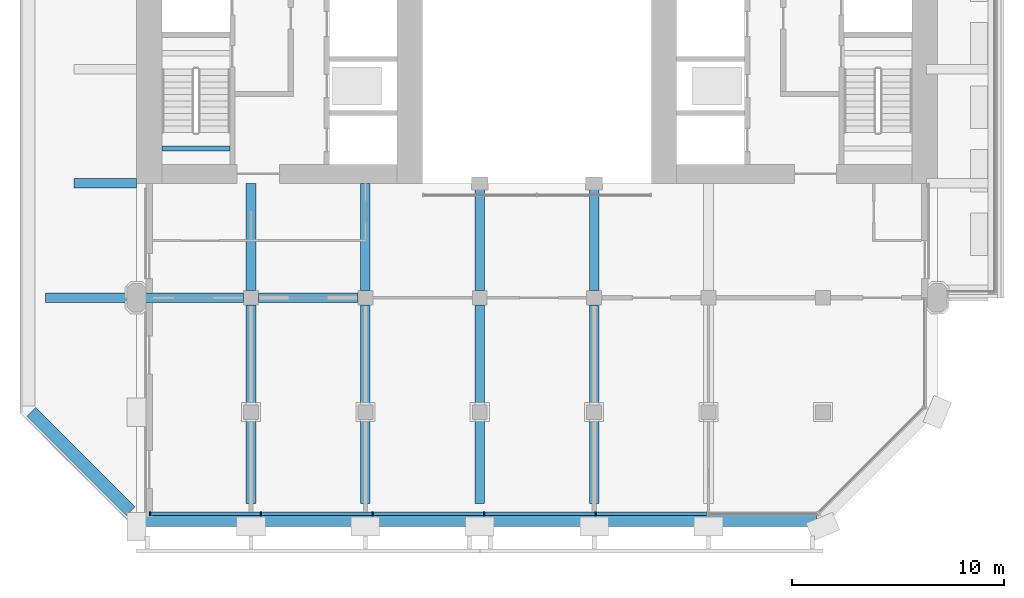
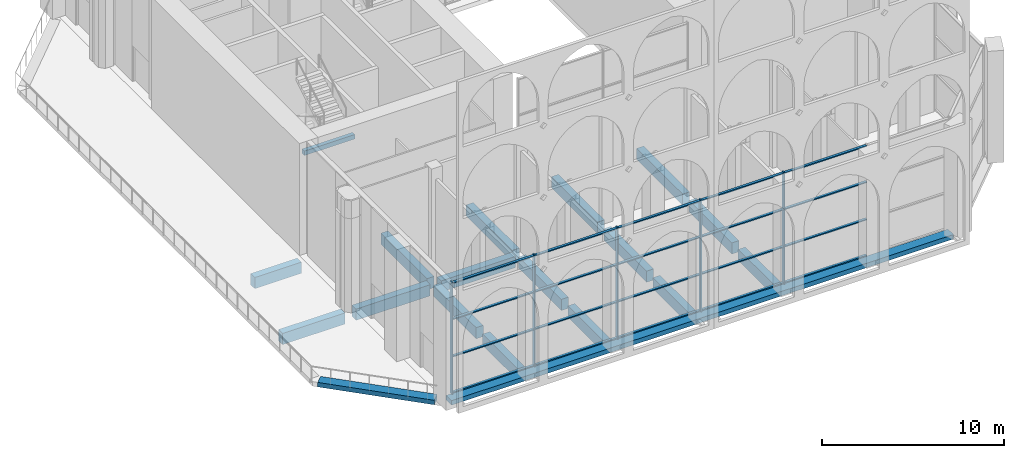
# One storey, part 2 of 20: 25 members, 19 beams, 1 element without a shape of its own.
"""IFC4 building model written with IfcOpenShell, lengths in metres."""

import ifcopenshell
import ifcopenshell.guid

model = None  # the IFC model being written
_history = None  # IfcOwnerHistory: only IFC2X3 demands one
_inside = {}  # id of a spatial element -> (the spatial element, [elements in it])
_under = {}  # id of a project, library or spatial element -> (it, [spatial elements below it])
_declared = {}  # id of a project -> (the project, [libraries it declares])
_typed = {}  # id of a type object -> (the type object, [elements of that type])
_made_of = {}  # id of a material, layer set ... -> (it, [elements and type objects made of it])


def new_model(schema):
    """Start an empty IFC model of exactly this schema.

    Asked for "IFC4X3", IfcOpenShell would pick the latest addendum, in which some entities
    have other attributes; the version numbers below select the first issue.
    IFC2X3 requires an IfcOwnerHistory on every rooted entity: one is made here for all.
    """
    global model, _history
    if schema == "IFC4X3":
        model = ifcopenshell.file(schema_version=(4, 3, 0, 0))
    else:
        model = ifcopenshell.file(schema=schema)
    _inside.clear()
    _under.clear()
    _declared.clear()
    _typed.clear()
    _made_of.clear()
    _history = None
    if model.schema == "IFC2X3":
        org = make("IfcOrganization", Name="unknown")
        user = make(
            "IfcPersonAndOrganization",
            ThePerson=make("IfcPerson", FamilyName="unknown"),
            TheOrganization=org,
        )
        app = make(
            "IfcApplication",
            ApplicationDeveloper=org,
            Version="unknown",
            ApplicationFullName="unknown",
            ApplicationIdentifier="unknown",
        )
        _history = make(
            "IfcOwnerHistory",
            OwningUser=user,
            OwningApplication=app,
            ChangeAction="ADDED",
            CreationDate=0,
        )
    return model


def make(cls, **values):
    """One entity of the class cls with the attributes given. An attribute that is None is left unset."""
    return model.create_entity(
        cls, **{name: value for name, value in values.items() if value is not None}
    )


def rooted(cls, **values):
    """An entity with a GlobalId (a new one), such as an element, a storey or a relation."""
    return make(cls, GlobalId=ifcopenshell.guid.new(), OwnerHistory=_history, **values)


def si_unit(unit_type, name, prefix=None):
    """IfcSIUnit, for example si_unit("LENGTHUNIT", "METRE", prefix="MILLI")."""
    return make("IfcSIUnit", UnitType=unit_type, Prefix=prefix, Name=name)


def assignment(units):
    """IfcUnitAssignment: the units of a project."""
    return None if units is None else make("IfcUnitAssignment", Units=units)


def point(xyz):
    """IfcCartesianPoint."""
    return None if xyz is None else make("IfcCartesianPoint", Coordinates=xyz)


def direction(xyz):
    """IfcDirection."""
    return None if xyz is None else make("IfcDirection", DirectionRatios=xyz)


def frame(location, z_axis=None, x_axis=None):
    """IfcAxis2Placement3D, a coordinate frame: its origin and axes. An axis left out is left unset."""
    return make(
        "IfcAxis2Placement3D",
        Location=point(location),
        Axis=direction(z_axis),
        RefDirection=direction(x_axis),
    )


def frame_2d(location, x_axis=None):
    """IfcAxis2Placement2D, a coordinate frame in the plane: its origin and x axis."""
    return make(
        "IfcAxis2Placement2D", Location=point(location), RefDirection=direction(x_axis)
    )


def origin():
    """The frame at (0, 0, 0) with its axes left unset."""
    return frame((0.0, 0.0, 0.0))


def origin_2d():
    """The frame at (0, 0) in the plane with its x axis left unset."""
    return frame_2d((0.0, 0.0))


def place(relative_to, where):
    """IfcLocalPlacement: puts the frame where relative to a parent placement (None: the world)."""
    return make(
        "IfcLocalPlacement", PlacementRelTo=relative_to, RelativePlacement=where
    )


def context(
    kind, dimensions, precision=None, world=None, true_north=None, identifier=None
):
    """IfcGeometricRepresentationContext, for example the 3D "Model" context."""
    return make(
        "IfcGeometricRepresentationContext",
        ContextIdentifier=identifier,
        ContextType=kind,
        CoordinateSpaceDimension=dimensions,
        Precision=precision,
        WorldCoordinateSystem=world,
        TrueNorth=true_north,
    )


def subcontext(parent, identifier, kind, view, scale=None):
    """IfcGeometricRepresentationSubContext, for example "Body" below "Model"."""
    return make(
        "IfcGeometricRepresentationSubContext",
        ContextIdentifier=identifier,
        ContextType=kind,
        ParentContext=parent,
        TargetScale=scale,
        TargetView=view,
    )


def project(units=None, contexts=None):
    """IfcProject with its units and contexts."""
    return rooted(
        "IfcProject",
        Name="project",
        RepresentationContexts=contexts,
        UnitsInContext=assignment(units),
    )


def spatial(cls, under=None, at=None, **own):
    """A site, building, storey or space (cls), placed at a placement, below another one or the project."""
    s = rooted(cls, ObjectPlacement=at, **own)
    if under is not None:
        _under.setdefault(under.id(), (under, []))[1].append(s)
    return s


def profile(cls, at=None, kind="AREA", **sizes):
    """A parametric profile (cls). Its sizes go by their IFC names, for example OverallWidth=200.0."""
    return make(cls, ProfileType=kind, Position=at, **sizes)


def rectangle(**sizes):
    """IfcRectangleProfileDef."""
    return profile("IfcRectangleProfileDef", **sizes)


def extrude(swept, where, along, depth):
    """IfcExtrudedAreaSolid: the profile swept, set in the frame where, extruded along a direction by depth."""
    return make(
        "IfcExtrudedAreaSolid",
        SweptArea=swept,
        Position=where,
        ExtrudedDirection=direction(along),
        Depth=depth,
    )


def shape(context_of_items, identifier, shape_type, items):
    """IfcShapeRepresentation: the items that make up one representation, for example the "Body"."""
    return make(
        "IfcShapeRepresentation",
        ContextOfItems=context_of_items,
        RepresentationIdentifier=identifier,
        RepresentationType=shape_type,
        Items=items,
    )


def material(Name=None, Category=None):
    """IfcMaterial."""
    return make("IfcMaterial", Name=Name, Category=Category)


def material_profile(
    of_material, cross_section, Name=None, Category=None, Priority=None
):
    """IfcMaterialProfile: a cross section and its material."""
    return make(
        "IfcMaterialProfile",
        Name=Name,
        Material=of_material,
        Profile=cross_section,
        Priority=Priority,
        Category=Category,
    )


def profile_set(profiles, Name=None, composite=None):
    """IfcMaterialProfileSet."""
    return make(
        "IfcMaterialProfileSet",
        Name=Name,
        MaterialProfiles=profiles,
        CompositeProfile=composite,
    )


def made_of(thing, what):
    """Note that an element or type object is made of a material, layer set ...; save() writes the relation."""
    if what is not None:
        _made_of.setdefault(what.id(), (what, []))[1].append(thing)
    return thing


def type_object(cls, material=None, **own):
    """A type object (cls), such as IfcWallType, which elements share."""
    return made_of(rooted(cls, **own), material)


def element(
    cls,
    number,
    at=None,
    inside=None,
    cuts=None,
    type_object=None,
    material=None,
    context=None,
    identifier="Body",
    shape_type=None,
    held_by="IfcProductDefinitionShape",
    body=None,
    shapes=None,
    **own,
):
    """One element of the class cls, such as IfcWall. Its Tag is "e" and its number.

    at: its placement. inside: the storey or other place that contains it. cuts: it is an
    opening in that element (IfcRelVoidsElement). A single representation is given by context,
    identifier, shape_type and body (its items); several are given by shapes. held_by: the class
    of the entity that holds the representations. save() writes the other relations.
    """
    e = rooted(cls, Tag="e%d" % number, ObjectPlacement=at, **own)
    if body is not None:
        shapes = [shape(context, identifier, shape_type, body)]
    if shapes is not None:
        e.Representation = make(held_by, Representations=shapes)
    if inside is not None:
        _inside.setdefault(inside.id(), (inside, []))[1].append(e)
    if cuts is not None:
        rooted(
            "IfcRelVoidsElement", RelatingBuildingElement=cuts, RelatedOpeningElement=e
        )
    if type_object is not None:
        _typed.setdefault(type_object.id(), (type_object, []))[1].append(e)
    return made_of(e, material)


def aggregate(whole, parts):
    """IfcRelAggregates: a whole, such as a stair, and the parts it consists of."""
    return rooted("IfcRelAggregates", RelatingObject=whole, RelatedObjects=parts)


def save(model, path):
    """Write the relations noted so far, then the file.

    IfcRelAggregates (storeys below a building ...), IfcRelContainedInSpatialStructure (elements
    in a storey), IfcRelDefinesByType, IfcRelAssociatesMaterial and IfcRelDeclares: one each for
    every whole, place, type object, material and project.
    """
    for whole, parts in _under.values():
        aggregate(whole, parts)
    for where, things in _inside.values():
        rooted(
            "IfcRelContainedInSpatialStructure",
            RelatedElements=things,
            RelatingStructure=where,
        )
    for kind, things in _typed.values():
        rooted("IfcRelDefinesByType", RelatedObjects=things, RelatingType=kind)
    for what, things in _made_of.values():
        rooted("IfcRelAssociatesMaterial", RelatedObjects=things, RelatingMaterial=what)
    for by, libraries in _declared.values():
        rooted("IfcRelDeclares", RelatingContext=by, RelatedDefinitions=libraries)
    model.write(path)


model = new_model("IFC4")

# Units and contexts
model_context = context("Model", 3, precision=1e-05, world=origin(), true_north=direction((0.0, 1.0)))
body_context = subcontext(model_context, "Body", "Model", "MODEL_VIEW")
ifc_project = project(units=[si_unit("LENGTHUNIT", "METRE"), si_unit("AREAUNIT", "SQUARE_METRE"), si_unit("VOLUMEUNIT", "CUBIC_METRE"), si_unit("PLANEANGLEUNIT", "RADIAN"), si_unit("MASSUNIT", "GRAM", prefix="KILO")], contexts=[model_context])

# Site, building, storey
site_placement = place(None, origin())
site = spatial("IfcSite", under=ifc_project, at=site_placement, CompositionType="ELEMENT")
building_placement = place(site_placement, origin())
building = spatial("IfcBuilding", under=site, at=building_placement, Name="Tabaq Tower and Sports Hall", CompositionType="ELEMENT")
storey_placement = place(building_placement, frame((0.0, 0.0, 243.10009765625)))
storey = spatial("IfcBuildingStorey", under=building, at=storey_placement, Name="L60", CompositionType="ELEMENT", Elevation=243.10009765625)

# Curtain wall, members
ifc_material_1 = material(Name="Aluminium alloy 6063-T6 framed glazing", Category="aluminium")
curtain_wall_type = type_object("IfcCurtainWallType", Name="CW2 curtain wall", PredefinedType="USERDEFINED", material=ifc_material_1)
curtain_wall_placement = place(storey_placement, origin())
curtain_wall = element("IfcCurtainWall", 1, at=curtain_wall_placement, inside=storey, type_object=curtain_wall_type, Name="Sky Lobby Wall L60 S", ObjectType="SKY LOBBY WALL", PredefinedType="USERDEFINED")
ifc_material_2 = material(Name="Aluminium alloy 6063-T6", Category="aluminium")
ifc_material_profile_1 = material_profile(ifc_material_2, rectangle(XDim=0.199951171875, YDim=0.070068359375, at=origin_2d()), Name="MULLION 200x70")
ifc_profile_set_1 = profile_set([ifc_material_profile_1], Name="Aluminium alloy 6063-T6")
member_type_1 = type_object("IfcMemberType", Name="CW2 mullion 200x70", PredefinedType="MULLION", material=ifc_profile_set_1)
member_1_placement = place(storey_placement, frame((6.034912109375, 0.60009765625, 0.0), z_axis=(0.0, 0.0, 1.0), x_axis=(0.0, 1.0, 0.0)))
member_1 = element("IfcMember", 2, at=member_1_placement, type_object=member_type_1, Name="CW2 mullion 1", PredefinedType="MULLION", context=body_context, shape_type="SweptSolid", body=[
    extrude(rectangle(XDim=0.199951171875, YDim=0.070068359375, at=origin_2d()), origin(), (0.0, 0.0, 1.0), 7.5),
])
member_2_placement = place(storey_placement, frame((11.26904296875, 0.60009765625, 0.0), z_axis=(0.0, 0.0, 1.0), x_axis=(0.0, 1.0, 0.0)))
member_2 = element("IfcMember", 3, at=member_2_placement, type_object=member_type_1, Name="CW2 mullion 2", PredefinedType="MULLION", context=body_context, shape_type="SweptSolid", body=[
    extrude(rectangle(XDim=0.199951171875, YDim=0.070068359375, at=origin_2d()), origin(), (0.0, 0.0, 1.0), 7.5),
])
member_3_placement = place(storey_placement, frame((16.537841796875, 0.60009765625, 0.0), z_axis=(0.0, 0.0, 1.0), x_axis=(0.0, 1.0, 0.0)))
member_3 = element("IfcMember", 4, at=member_3_placement, type_object=member_type_1, Name="CW2 mullion 3", PredefinedType="MULLION", context=body_context, shape_type="SweptSolid", body=[
    extrude(rectangle(XDim=0.199951171875, YDim=0.070068359375, at=origin_2d()), origin(), (0.0, 0.0, 1.0), 7.5),
])
member_4_placement = place(storey_placement, frame((21.806884765625, 0.60009765625, 0.0), z_axis=(0.0, 0.0, 1.0), x_axis=(0.0, 1.0, 0.0)))
member_4 = element("IfcMember", 5, at=member_4_placement, type_object=member_type_1, Name="CW2 mullion 4", PredefinedType="MULLION", context=body_context, shape_type="SweptSolid", body=[
    extrude(rectangle(XDim=0.199951171875, YDim=0.070068359375, at=origin_2d()), origin(), (0.0, 0.0, 1.0), 7.5),
])
member_5_placement = place(storey_placement, frame((27.07568359375, 0.60009765625, 0.0), z_axis=(0.0, 0.0, 1.0), x_axis=(0.0, 1.0, 0.0)))
member_5 = element("IfcMember", 6, at=member_5_placement, type_object=member_type_1, Name="CW2 mullion 5", PredefinedType="MULLION", context=body_context, shape_type="SweptSolid", body=[
    extrude(rectangle(XDim=0.199951171875, YDim=0.070068359375, at=origin_2d()), origin(), (0.0, 0.0, 1.0), 7.5),
])
ifc_material_3 = material(Name="Aluminium alloy 6063-T6", Category="aluminium")
ifc_material_profile_2 = material_profile(ifc_material_3, rectangle(XDim=0.159912109375, YDim=0.070068359375, at=origin_2d()), Name="TRANSOM 160x70")
ifc_profile_set_2 = profile_set([ifc_material_profile_2], Name="Aluminium alloy 6063-T6")
member_type_2 = type_object("IfcMemberType", Name="CW2 transom 160x70", PredefinedType="USERDEFINED", material=ifc_profile_set_2)
member_6_placement = place(storey_placement, frame((6.070068359375, 0.60009765625, 0.079833984375), z_axis=(1.0, 0.0, 0.0), x_axis=(0.0, 1.0, 0.0)))
member_6 = element("IfcMember", 7, at=member_6_placement, type_object=member_type_2, Name="CW2 transom 1.1", ObjectType="TRANSOM", PredefinedType="USERDEFINED", context=body_context, shape_type="SweptSolid", body=[
    extrude(rectangle(XDim=0.159912109375, YDim=0.070068359375, at=origin_2d()), origin(), (0.0, 0.0, 1.0), 5.163818359375),
])
member_7_placement = place(storey_placement, frame((6.070068359375, 0.60009765625, 2.5), z_axis=(1.0, 0.0, 0.0), x_axis=(0.0, 1.0, 0.0)))
member_7 = element("IfcMember", 8, at=member_7_placement, type_object=member_type_2, Name="CW2 transom 1.2", ObjectType="TRANSOM", PredefinedType="USERDEFINED", context=body_context, shape_type="SweptSolid", body=[
    extrude(rectangle(XDim=0.159912109375, YDim=0.070068359375, at=origin_2d()), origin(), (0.0, 0.0, 1.0), 5.163818359375),
])
member_8_placement = place(storey_placement, frame((6.070068359375, 0.60009765625, 5.0), z_axis=(1.0, 0.0, 0.0), x_axis=(0.0, 1.0, 0.0)))
member_8 = element("IfcMember", 9, at=member_8_placement, type_object=member_type_2, Name="CW2 transom 1.3", ObjectType="TRANSOM", PredefinedType="USERDEFINED", context=body_context, shape_type="SweptSolid", body=[
    extrude(rectangle(XDim=0.159912109375, YDim=0.070068359375, at=origin_2d()), origin(), (0.0, 0.0, 1.0), 5.163818359375),
])
member_9_placement = place(storey_placement, frame((6.070068359375, 0.60009765625, 7.419921875), z_axis=(1.0, 0.0, 0.0), x_axis=(0.0, 1.0, 0.0)))
member_9 = element("IfcMember", 10, at=member_9_placement, type_object=member_type_2, Name="CW2 transom 1.4", ObjectType="TRANSOM", PredefinedType="USERDEFINED", context=body_context, shape_type="SweptSolid", body=[
    extrude(rectangle(XDim=0.159912109375, YDim=0.070068359375, at=origin_2d()), origin(), (0.0, 0.0, 1.0), 5.163818359375),
])
member_10_placement = place(storey_placement, frame((11.303955078125, 0.60009765625, 0.079833984375), z_axis=(1.0, 0.0, 0.0), x_axis=(0.0, 1.0, 0.0)))
member_10 = element("IfcMember", 11, at=member_10_placement, type_object=member_type_2, Name="CW2 transom 2.1", ObjectType="TRANSOM", PredefinedType="USERDEFINED", context=body_context, shape_type="SweptSolid", body=[
    extrude(rectangle(XDim=0.159912109375, YDim=0.070068359375, at=origin_2d()), origin(), (0.0, 0.0, 1.0), 5.198974609375),
])
member_11_placement = place(storey_placement, frame((11.303955078125, 0.60009765625, 2.5), z_axis=(1.0, 0.0, 0.0), x_axis=(0.0, 1.0, 0.0)))
member_11 = element("IfcMember", 12, at=member_11_placement, type_object=member_type_2, Name="CW2 transom 2.2", ObjectType="TRANSOM", PredefinedType="USERDEFINED", context=body_context, shape_type="SweptSolid", body=[
    extrude(rectangle(XDim=0.159912109375, YDim=0.070068359375, at=origin_2d()), origin(), (0.0, 0.0, 1.0), 5.198974609375),
])
member_12_placement = place(storey_placement, frame((11.303955078125, 0.60009765625, 5.0), z_axis=(1.0, 0.0, 0.0), x_axis=(0.0, 1.0, 0.0)))
member_12 = element("IfcMember", 13, at=member_12_placement, type_object=member_type_2, Name="CW2 transom 2.3", ObjectType="TRANSOM", PredefinedType="USERDEFINED", context=body_context, shape_type="SweptSolid", body=[
    extrude(rectangle(XDim=0.159912109375, YDim=0.070068359375, at=origin_2d()), origin(), (0.0, 0.0, 1.0), 5.198974609375),
])
member_13_placement = place(storey_placement, frame((11.303955078125, 0.60009765625, 7.419921875), z_axis=(1.0, 0.0, 0.0), x_axis=(0.0, 1.0, 0.0)))
member_13 = element("IfcMember", 14, at=member_13_placement, type_object=member_type_2, Name="CW2 transom 2.4", ObjectType="TRANSOM", PredefinedType="USERDEFINED", context=body_context, shape_type="SweptSolid", body=[
    extrude(rectangle(XDim=0.159912109375, YDim=0.070068359375, at=origin_2d()), origin(), (0.0, 0.0, 1.0), 5.198974609375),
])
member_14_placement = place(storey_placement, frame((16.57275390625, 0.60009765625, 0.079833984375), z_axis=(1.0, 0.0, 0.0), x_axis=(0.0, 1.0, 0.0)))
member_14 = element("IfcMember", 15, at=member_14_placement, type_object=member_type_2, Name="CW2 transom 3.1", ObjectType="TRANSOM", PredefinedType="USERDEFINED", context=body_context, shape_type="SweptSolid", body=[
    extrude(rectangle(XDim=0.159912109375, YDim=0.070068359375, at=origin_2d()), origin(), (0.0, 0.0, 1.0), 5.198974609375),
])
member_15_placement = place(storey_placement, frame((16.57275390625, 0.60009765625, 2.5), z_axis=(1.0, 0.0, 0.0), x_axis=(0.0, 1.0, 0.0)))
member_15 = element("IfcMember", 16, at=member_15_placement, type_object=member_type_2, Name="CW2 transom 3.2", ObjectType="TRANSOM", PredefinedType="USERDEFINED", context=body_context, shape_type="SweptSolid", body=[
    extrude(rectangle(XDim=0.159912109375, YDim=0.070068359375, at=origin_2d()), origin(), (0.0, 0.0, 1.0), 5.198974609375),
])
member_16_placement = place(storey_placement, frame((16.57275390625, 0.60009765625, 5.0), z_axis=(1.0, 0.0, 0.0), x_axis=(0.0, 1.0, 0.0)))
member_16 = element("IfcMember", 17, at=member_16_placement, type_object=member_type_2, Name="CW2 transom 3.3", ObjectType="TRANSOM", PredefinedType="USERDEFINED", context=body_context, shape_type="SweptSolid", body=[
    extrude(rectangle(XDim=0.159912109375, YDim=0.070068359375, at=origin_2d()), origin(), (0.0, 0.0, 1.0), 5.198974609375),
])
member_17_placement = place(storey_placement, frame((16.57275390625, 0.60009765625, 7.419921875), z_axis=(1.0, 0.0, 0.0), x_axis=(0.0, 1.0, 0.0)))
member_17 = element("IfcMember", 18, at=member_17_placement, type_object=member_type_2, Name="CW2 transom 3.4", ObjectType="TRANSOM", PredefinedType="USERDEFINED", context=body_context, shape_type="SweptSolid", body=[
    extrude(rectangle(XDim=0.159912109375, YDim=0.070068359375, at=origin_2d()), origin(), (0.0, 0.0, 1.0), 5.198974609375),
])
member_18_placement = place(storey_placement, frame((21.841796875, 0.60009765625, 0.079833984375), z_axis=(1.0, 0.0, 0.0), x_axis=(0.0, 1.0, 0.0)))
member_18 = element("IfcMember", 19, at=member_18_placement, type_object=member_type_2, Name="CW2 transom 4.1", ObjectType="TRANSOM", PredefinedType="USERDEFINED", context=body_context, shape_type="SweptSolid", body=[
    extrude(rectangle(XDim=0.159912109375, YDim=0.070068359375, at=origin_2d()), origin(), (0.0, 0.0, 1.0), 5.198974609375),
])
member_19_placement = place(storey_placement, frame((21.841796875, 0.60009765625, 2.5), z_axis=(1.0, 0.0, 0.0), x_axis=(0.0, 1.0, 0.0)))
member_19 = element("IfcMember", 20, at=member_19_placement, type_object=member_type_2, Name="CW2 transom 4.2", ObjectType="TRANSOM", PredefinedType="USERDEFINED", context=body_context, shape_type="SweptSolid", body=[
    extrude(rectangle(XDim=0.159912109375, YDim=0.070068359375, at=origin_2d()), origin(), (0.0, 0.0, 1.0), 5.198974609375),
])
member_20_placement = place(storey_placement, frame((21.841796875, 0.60009765625, 5.0), z_axis=(1.0, 0.0, 0.0), x_axis=(0.0, 1.0, 0.0)))
member_20 = element("IfcMember", 21, at=member_20_placement, type_object=member_type_2, Name="CW2 transom 4.3", ObjectType="TRANSOM", PredefinedType="USERDEFINED", context=body_context, shape_type="SweptSolid", body=[
    extrude(rectangle(XDim=0.159912109375, YDim=0.070068359375, at=origin_2d()), origin(), (0.0, 0.0, 1.0), 5.198974609375),
])
member_21_placement = place(storey_placement, frame((21.841796875, 0.60009765625, 7.419921875), z_axis=(1.0, 0.0, 0.0), x_axis=(0.0, 1.0, 0.0)))
member_21 = element("IfcMember", 22, at=member_21_placement, type_object=member_type_2, Name="CW2 transom 4.4", ObjectType="TRANSOM", PredefinedType="USERDEFINED", context=body_context, shape_type="SweptSolid", body=[
    extrude(rectangle(XDim=0.159912109375, YDim=0.070068359375, at=origin_2d()), origin(), (0.0, 0.0, 1.0), 5.198974609375),
])
member_22_placement = place(storey_placement, frame((27.11083984375, 0.60009765625, 0.079833984375), z_axis=(1.0, 0.0, 0.0), x_axis=(0.0, 1.0, 0.0)))
member_22 = element("IfcMember", 23, at=member_22_placement, type_object=member_type_2, Name="CW2 transom 5.1", ObjectType="TRANSOM", PredefinedType="USERDEFINED", context=body_context, shape_type="SweptSolid", body=[
    extrude(rectangle(XDim=0.159912109375, YDim=0.070068359375, at=origin_2d()), origin(), (0.0, 0.0, 1.0), 5.19873046875),
])
member_23_placement = place(storey_placement, frame((27.11083984375, 0.60009765625, 2.5), z_axis=(1.0, 0.0, 0.0), x_axis=(0.0, 1.0, 0.0)))
member_23 = element("IfcMember", 24, at=member_23_placement, type_object=member_type_2, Name="CW2 transom 5.2", ObjectType="TRANSOM", PredefinedType="USERDEFINED", context=body_context, shape_type="SweptSolid", body=[
    extrude(rectangle(XDim=0.159912109375, YDim=0.070068359375, at=origin_2d()), origin(), (0.0, 0.0, 1.0), 5.19873046875),
])
member_24_placement = place(storey_placement, frame((27.11083984375, 0.60009765625, 5.0), z_axis=(1.0, 0.0, 0.0), x_axis=(0.0, 1.0, 0.0)))
member_24 = element("IfcMember", 25, at=member_24_placement, type_object=member_type_2, Name="CW2 transom 5.3", ObjectType="TRANSOM", PredefinedType="USERDEFINED", context=body_context, shape_type="SweptSolid", body=[
    extrude(rectangle(XDim=0.159912109375, YDim=0.070068359375, at=origin_2d()), origin(), (0.0, 0.0, 1.0), 5.19873046875),
])
member_25_placement = place(storey_placement, frame((27.11083984375, 0.60009765625, 7.419921875), z_axis=(1.0, 0.0, 0.0), x_axis=(0.0, 1.0, 0.0)))
member_25 = element("IfcMember", 26, at=member_25_placement, type_object=member_type_2, Name="CW2 transom 5.4", ObjectType="TRANSOM", PredefinedType="USERDEFINED", context=body_context, shape_type="SweptSolid", body=[
    extrude(rectangle(XDim=0.159912109375, YDim=0.070068359375, at=origin_2d()), origin(), (0.0, 0.0, 1.0), 5.19873046875),
])
aggregate(curtain_wall, [member_1, member_2, member_3, member_4, member_5, member_6, member_7, member_8, member_9, member_10, member_11, member_12, member_13, member_14, member_15, member_16, member_17, member_18, member_19, member_20, member_21, member_22, member_23, member_24, member_25])

# Beams
ifc_material_4 = material(Name="Concrete C40/50", Category="concrete")
ifc_material_profile_3 = material_profile(ifc_material_4, rectangle(XDim=0.449951171875, YDim=0.75, at=origin_2d()), Name="CB 450x750")
ifc_profile_set_3 = profile_set([ifc_material_profile_3], Name="Concrete C40/50")
beam_type_1 = type_object("IfcBeamType", Name="PT CANTILEVER BEAM CB 450x750 C40/50", PredefinedType="BEAM", material=ifc_profile_set_3)
beam_1_placement = place(storey_placement, frame((1.10009765625, 10.800048828125, -0.675048828125), z_axis=(1.0, 0.0, 0.0), x_axis=(0.0, 1.0, 0.0)))
element("IfcBeam", 27, at=beam_1_placement, inside=storey, type_object=beam_type_1, Name="Cantilever Beam L60 W2 span 1", PredefinedType="BEAM", context=body_context, shape_type="SweptSolid", body=[
    extrude(rectangle(XDim=0.449951171875, YDim=0.75, at=origin_2d()), origin(), (0.0, 0.0, 1.0), 3.949951171875),
])
beam_2_placement = place(storey_placement, frame((5.75, 10.800048828125, -0.675048828125), z_axis=(1.0, 0.0, 0.0), x_axis=(0.0, 1.0, 0.0)))
element("IfcBeam", 28, at=beam_2_placement, inside=storey, type_object=beam_type_1, Name="Cantilever Beam L60 W2 span 2", PredefinedType="BEAM", context=body_context, shape_type="SweptSolid", body=[
    extrude(rectangle(XDim=0.449951171875, YDim=0.75, at=origin_2d()), origin(), (0.0, 0.0, 1.0), 4.699951171875),
])
beam_3_placement = place(storey_placement, frame((11.14990234375, 10.800048828125, -0.675048828125), z_axis=(1.0, 0.0, 0.0), x_axis=(0.0, 1.0, 0.0)))
element("IfcBeam", 29, at=beam_3_placement, inside=storey, type_object=beam_type_1, Name="Cantilever Beam L60 W2 span 3", PredefinedType="BEAM", context=body_context, shape_type="SweptSolid", body=[
    extrude(rectangle(XDim=0.449951171875, YDim=0.75, at=origin_2d()), origin(), (0.0, 0.0, 1.0), 4.7001953125),
])
beam_4_placement = place(storey_placement, frame((2.449951171875, 16.199951171875, -0.675048828125), z_axis=(1.0, 0.0, 0.0), x_axis=(0.0, 1.0, 0.0)))
element("IfcBeam", 30, at=beam_4_placement, inside=storey, type_object=beam_type_1, Name="Cantilever Beam L60 W3 span 1", PredefinedType="BEAM", context=body_context, shape_type="SweptSolid", body=[
    extrude(rectangle(XDim=0.449951171875, YDim=0.75, at=origin_2d()), origin(), (0.0, 0.0, 1.0), 2.949951171875),
])
beam_5_placement = place(storey_placement, frame((10.800048828125, 1.10009765625, -0.675048828125), z_axis=(0.0, 1.0, 0.0), x_axis=(-1.0, 0.0, 0.0)))
element("IfcBeam", 31, at=beam_5_placement, inside=storey, type_object=beam_type_1, Name="Cantilever Beam L60 S2 span 1", PredefinedType="BEAM", context=body_context, shape_type="SweptSolid", body=[
    extrude(rectangle(XDim=0.449951171875, YDim=0.75, at=origin_2d()), origin(), (0.0, 0.0, 1.0), 3.949951171875),
])
beam_6_placement = place(storey_placement, frame((10.800048828125, 5.75, -0.675048828125), z_axis=(0.0, 1.0, 0.0), x_axis=(-1.0, 0.0, 0.0)))
element("IfcBeam", 32, at=beam_6_placement, inside=storey, type_object=beam_type_1, Name="Cantilever Beam L60 S2 span 2", PredefinedType="BEAM", context=body_context, shape_type="SweptSolid", body=[
    extrude(rectangle(XDim=0.449951171875, YDim=0.75, at=origin_2d()), origin(), (0.0, 0.0, 1.0), 4.699951171875),
])
beam_7_placement = place(storey_placement, frame((10.800048828125, 11.14990234375, -0.675048828125), z_axis=(0.0, 1.0, 0.0), x_axis=(-1.0, 0.0, 0.0)))
element("IfcBeam", 33, at=beam_7_placement, inside=storey, type_object=beam_type_1, Name="Cantilever Beam L60 S2 span 3", PredefinedType="BEAM", context=body_context, shape_type="SweptSolid", body=[
    extrude(rectangle(XDim=0.449951171875, YDim=0.75, at=origin_2d()), origin(), (0.0, 0.0, 1.0), 5.050048828125),
])
beam_8_placement = place(storey_placement, frame((16.199951171875, 1.10009765625, -0.675048828125), z_axis=(0.0, 1.0, 0.0), x_axis=(-1.0, 0.0, 0.0)))
element("IfcBeam", 34, at=beam_8_placement, inside=storey, type_object=beam_type_1, Name="Cantilever Beam L60 S3 span 1", PredefinedType="BEAM", context=body_context, shape_type="SweptSolid", body=[
    extrude(rectangle(XDim=0.449951171875, YDim=0.75, at=origin_2d()), origin(), (0.0, 0.0, 1.0), 3.949951171875),
])
beam_9_placement = place(storey_placement, frame((16.199951171875, 5.75, -0.675048828125), z_axis=(0.0, 1.0, 0.0), x_axis=(-1.0, 0.0, 0.0)))
element("IfcBeam", 35, at=beam_9_placement, inside=storey, type_object=beam_type_1, Name="Cantilever Beam L60 S3 span 2", PredefinedType="BEAM", context=body_context, shape_type="SweptSolid", body=[
    extrude(rectangle(XDim=0.449951171875, YDim=0.75, at=origin_2d()), origin(), (0.0, 0.0, 1.0), 4.699951171875),
])
beam_10_placement = place(storey_placement, frame((16.199951171875, 11.14990234375, -0.675048828125), z_axis=(0.0, 1.0, 0.0), x_axis=(-1.0, 0.0, 0.0)))
element("IfcBeam", 36, at=beam_10_placement, inside=storey, type_object=beam_type_1, Name="Cantilever Beam L60 S3 span 3", PredefinedType="BEAM", context=body_context, shape_type="SweptSolid", body=[
    extrude(rectangle(XDim=0.449951171875, YDim=0.75, at=origin_2d()), origin(), (0.0, 0.0, 1.0), 5.050048828125),
])
beam_11_placement = place(storey_placement, frame((21.60009765625, 1.10009765625, -0.675048828125), z_axis=(0.0, 1.0, 0.0), x_axis=(-1.0, 0.0, 0.0)))
element("IfcBeam", 37, at=beam_11_placement, inside=storey, type_object=beam_type_1, Name="Cantilever Beam L60 S4 span 1", PredefinedType="BEAM", context=body_context, shape_type="SweptSolid", body=[
    extrude(rectangle(XDim=0.449951171875, YDim=0.75, at=origin_2d()), origin(), (0.0, 0.0, 1.0), 3.949951171875),
])
beam_12_placement = place(storey_placement, frame((21.60009765625, 5.75, -0.675048828125), z_axis=(0.0, 1.0, 0.0), x_axis=(-1.0, 0.0, 0.0)))
element("IfcBeam", 38, at=beam_12_placement, inside=storey, type_object=beam_type_1, Name="Cantilever Beam L60 S4 span 2", PredefinedType="BEAM", context=body_context, shape_type="SweptSolid", body=[
    extrude(rectangle(XDim=0.449951171875, YDim=0.75, at=origin_2d()), origin(), (0.0, 0.0, 1.0), 4.699951171875),
])
beam_13_placement = place(storey_placement, frame((21.60009765625, 11.14990234375, -0.675048828125), z_axis=(0.0, 1.0, 0.0), x_axis=(-1.0, 0.0, 0.0)))
element("IfcBeam", 39, at=beam_13_placement, inside=storey, type_object=beam_type_1, Name="Cantilever Beam L60 S4 span 3", PredefinedType="BEAM", context=body_context, shape_type="SweptSolid", body=[
    extrude(rectangle(XDim=0.449951171875, YDim=0.75, at=origin_2d()), origin(), (0.0, 0.0, 1.0), 5.050048828125),
])
beam_14_placement = place(storey_placement, frame((27.0, 1.10009765625, -0.675048828125), z_axis=(0.0, 1.0, 0.0), x_axis=(-1.0, 0.0, 0.0)))
element("IfcBeam", 40, at=beam_14_placement, inside=storey, type_object=beam_type_1, Name="Cantilever Beam L60 S5 span 1", PredefinedType="BEAM", context=body_context, shape_type="SweptSolid", body=[
    extrude(rectangle(XDim=0.449951171875, YDim=0.75, at=origin_2d()), origin(), (0.0, 0.0, 1.0), 3.949951171875),
])
beam_15_placement = place(storey_placement, frame((27.0, 5.75, -0.675048828125), z_axis=(0.0, 1.0, 0.0), x_axis=(-1.0, 0.0, 0.0)))
element("IfcBeam", 41, at=beam_15_placement, inside=storey, type_object=beam_type_1, Name="Cantilever Beam L60 S5 span 2", PredefinedType="BEAM", context=body_context, shape_type="SweptSolid", body=[
    extrude(rectangle(XDim=0.449951171875, YDim=0.75, at=origin_2d()), origin(), (0.0, 0.0, 1.0), 4.699951171875),
])
beam_16_placement = place(storey_placement, frame((27.0, 11.14990234375, -0.675048828125), z_axis=(0.0, 1.0, 0.0), x_axis=(-1.0, 0.0, 0.0)))
element("IfcBeam", 42, at=beam_16_placement, inside=storey, type_object=beam_type_1, Name="Cantilever Beam L60 S5 span 3", PredefinedType="BEAM", context=body_context, shape_type="SweptSolid", body=[
    extrude(rectangle(XDim=0.449951171875, YDim=0.75, at=origin_2d()), origin(), (0.0, 0.0, 1.0), 5.050048828125),
])
ifc_material_5 = material(Name="Concrete C40/50", Category="concrete")
ifc_material_profile_4 = material_profile(ifc_material_5, rectangle(XDim=0.60009765625, YDim=0.300048828125, at=origin_2d()), Name="EB 600x300")
ifc_profile_set_4 = profile_set([ifc_material_profile_4], Name="Concrete C40/50")
beam_type_2 = type_object("IfcBeamType", Name="PT EDGE BEAM EB 600x300 C40/50", PredefinedType="SPANDREL", material=ifc_profile_set_4)
beam_17_placement = place(storey_placement, frame((5.698486328125, 0.300048828125, -0.150146484375), z_axis=(1.0, 0.0, 0.0), x_axis=(0.0, 1.0, 0.0)))
element("IfcBeam", 43, at=beam_17_placement, inside=storey, type_object=beam_type_2, Name="Edge Beam L60 1", PredefinedType="SPANDREL", context=body_context, shape_type="SweptSolid", body=[
    extrude(rectangle(XDim=0.60009765625, YDim=0.300048828125, at=origin_2d()), origin(), (0.0, 0.0, 1.0), 31.802978515625),
])
beam_18_placement = place(storey_placement, frame((0.42333984375, 5.401123046875, -0.150146484375), z_axis=(0.707106781187, -0.707106781187, 0.0), x_axis=(0.707106781187, 0.707106781187, 0.0)))
element("IfcBeam", 44, at=beam_18_placement, inside=storey, type_object=beam_type_2, Name="Edge Beam L60 4", PredefinedType="SPANDREL", context=body_context, shape_type="SweptSolid", body=[
    extrude(rectangle(XDim=0.60009765625, YDim=0.300048828125, at=origin_2d()), origin(), (0.0, 0.0, 1.0), 6.628173828125),
])
ifc_material_6 = material(Name="Concrete C40/50", Category="concrete")
ifc_material_profile_5 = material_profile(ifc_material_6, rectangle(XDim=0.25, YDim=0.300048828125, at=origin_2d()), Name="RC 250x300")
ifc_profile_set_5 = profile_set([ifc_material_profile_5], Name="Concrete C40/50")
beam_type_3 = type_object("IfcBeamType", Name="Stair landing beam 250x300", PredefinedType="BEAM", material=ifc_profile_set_5)
beam_19_placement = place(storey_placement, frame((6.60009765625, 17.85009765625, 5.5), z_axis=(1.0, 0.0, 0.0), x_axis=(0.0, 1.0, 0.0)))
element("IfcBeam", 45, at=beam_19_placement, inside=storey, type_object=beam_type_3, Name="L60 ST1 landing beam 3", PredefinedType="BEAM", context=body_context, shape_type="SweptSolid", body=[
    extrude(rectangle(XDim=0.25, YDim=0.300048828125, at=origin_2d()), origin(), (0.0, 0.0, 1.0), 3.199951171875),
])

save(model, "model.ifc")
